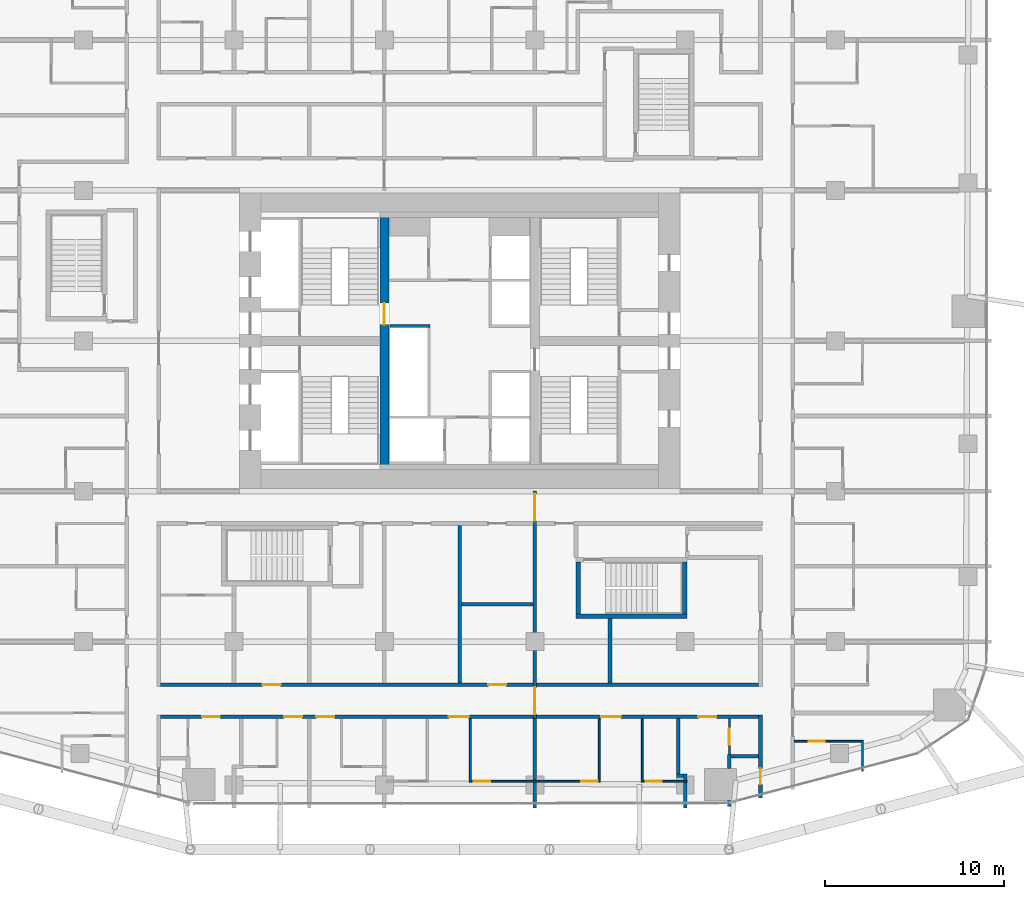
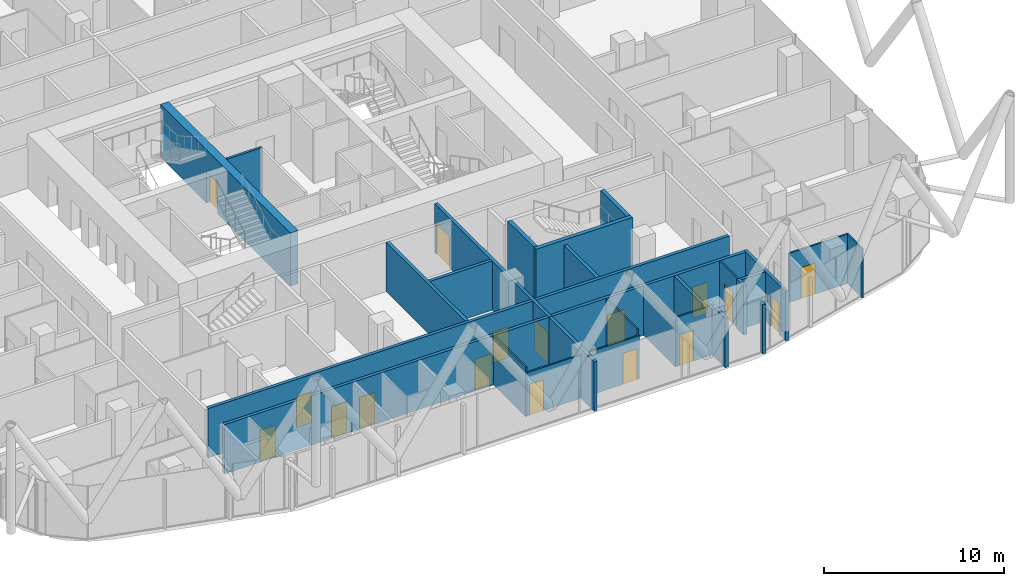
# One storey, part 30 of 38: 27 walls, 17 doors, 17 openings.
"""IFC4 building model written with IfcOpenShell, lengths in metres."""

from ifc_helpers import new_model, si_unit, direction, frame, frame_2d, origin, place, context, subcontext, project, spatial, rectangle, extrude, material, layer, layer_set, type_object, element, fill, save


model = new_model("IFC4")

# Units and contexts
model_context = context("Model", 3, precision=1e-05, world=origin(), true_north=direction((0.0, 1.0)))
body_context = subcontext(model_context, "Body", "Model", "MODEL_VIEW")
ifc_project = project(units=[si_unit("LENGTHUNIT", "METRE"), si_unit("AREAUNIT", "SQUARE_METRE"), si_unit("VOLUMEUNIT", "CUBIC_METRE"), si_unit("PLANEANGLEUNIT", "RADIAN"), si_unit("MASSUNIT", "GRAM", prefix="KILO")], contexts=[model_context])

# Site, building, storey
site_placement = place(None, origin())
site = spatial("IfcSite", under=ifc_project, at=site_placement, CompositionType="ELEMENT")
building_placement = place(site_placement, origin())
building = spatial("IfcBuilding", under=site, at=building_placement, Name="Marenta Gate Hotel Tower", CompositionType="ELEMENT")
storey_placement = place(building_placement, frame((0.0, 0.0, 54.5)))
storey = spatial("IfcBuildingStorey", under=building, at=storey_placement, Name="L11", CompositionType="ELEMENT", Elevation=54.5)

# Wall
ifc_material_1 = material(Name="Concrete blockwork", Category="masonry")
ifc_layer_1 = layer(ifc_material_1, 0.199951171875)
ifc_layer_set_1 = layer_set([ifc_layer_1], Name="Concrete blockwork")
wall_type_1 = type_object("IfcWallType", Name="Compartment wall 200 REI 180", PredefinedType="PARTITIONING", material=ifc_layer_set_1)
wall_1_placement = place(storey_placement, frame((4.199951171875, -17.699951171875, 0.0), z_axis=(0.0, 0.0, 1.0), x_axis=(0.0, 1.0, 0.0)))
element("IfcWall", 1, at=wall_1_placement, inside=storey, type_object=wall_type_1, Name="L11-PTN-W052", PredefinedType="PARTITIONING", context=body_context, shape_type="SweptSolid", body=[
    extrude(rectangle(XDim=5.0, YDim=0.199951171875, at=frame_2d((2.5, 0.0))), origin(), (0.0, 0.0, 1.0), 3.340087890625),
])

# Wall, openings, doors
wall_2_placement = place(storey_placement, frame((4.199951171875, -12.699951171875, 0.0), z_axis=(0.0, 0.0, 1.0), x_axis=(0.0, 1.0, 0.0)))
wall_2 = element("IfcWall", 2, at=wall_2_placement, inside=storey, type_object=wall_type_1, Name="L11-PTN-W053", PredefinedType="PARTITIONING", context=body_context, shape_type="SweptSolid", body=[
    extrude(rectangle(XDim=12.699951171875, YDim=0.199951171875, at=frame_2d((6.35009765625, 0.0))), origin(), (0.0, 0.0, 1.0), 3.340087890625),
])
opening_1_placement = place(wall_2_placement, frame((11.050048828125, 0.0, 0.0)))
opening_1 = element("IfcOpeningElement", 3, at=opening_1_placement, cuts=wall_2, Name="Opening G04-FD3", PredefinedType="OPENING", context=body_context, shape_type="SweptSolid", body=[
    extrude(rectangle(XDim=1.5, YDim=2.10009765625, at=frame_2d((0.75, 1.050048828125))), frame((0.0, 0.10009765625, 0.0), z_axis=(0.0, -1.0, 0.0), x_axis=(1.0, 0.0, 0.0)), (0.0, 0.0, 1.0), 0.199951171875),
])
opening_2_placement = place(wall_2_placement, frame((0.25, 0.0, 0.0)))
opening_2 = element("IfcOpeningElement", 4, at=opening_2_placement, cuts=wall_2, Name="Opening G04-FD4", PredefinedType="OPENING", context=body_context, shape_type="SweptSolid", body=[
    extrude(rectangle(XDim=1.5, YDim=2.10009765625, at=frame_2d((0.75, 1.050048828125))), frame((0.0, 0.10009765625, 0.0), z_axis=(0.0, -1.0, 0.0), x_axis=(1.0, 0.0, 0.0)), (0.0, 0.0, 1.0), 0.199951171875),
])
ifc_material_2 = material(Name="Hollow steel door set", Category="steel")
door_type_1 = type_object("IfcDoorType", Name="Compartment fire door 1500x2100 EI 60", OperationType="DOUBLE_DOOR_DOUBLE_SWING", PredefinedType="DOOR", material=ifc_material_2)
door_1_placement = place(opening_1_placement, origin())
door_1 = element("IfcDoor", 5, at=door_1_placement, inside=storey, type_object=door_type_1, Name="L11-PD-FD03", OperationType="DOUBLE_DOOR_DOUBLE_SWING", OverallHeight=2.10009765625, OverallWidth=1.5, PredefinedType="DOOR", context=body_context, shape_type="SweptSolid", body=[
    extrude(rectangle(XDim=1.5, YDim=2.10009765625, at=frame_2d((0.75, 1.050048828125))), frame((0.0, 0.02490234375, 0.0), z_axis=(0.0, -1.0, 0.0), x_axis=(1.0, 0.0, 0.0)), (0.0, 0.0, 1.0), 0.050048828125),
])
fill(opening_1, door_1)
door_2_placement = place(opening_2_placement, origin())
door_2 = element("IfcDoor", 6, at=door_2_placement, inside=storey, type_object=door_type_1, Name="L11-PD-FD04", OperationType="DOUBLE_DOOR_DOUBLE_SWING", OverallHeight=2.10009765625, OverallWidth=1.5, PredefinedType="DOOR", context=body_context, shape_type="SweptSolid", body=[
    extrude(rectangle(XDim=1.5, YDim=2.10009765625, at=frame_2d((0.75, 1.050048828125))), frame((0.0, 0.02490234375, 0.0), z_axis=(0.0, -1.0, 0.0), x_axis=(1.0, 0.0, 0.0)), (0.0, 0.0, 1.0), 0.050048828125),
])
fill(opening_2, door_2)

# Wall
ifc_material_3 = material(Name="Concrete C40", Category="concrete")
ifc_layer_2 = layer(ifc_material_3, 0.14990234375)
ifc_layer_set_2 = layer_set([ifc_layer_2], Name="Concrete C40")
wall_type_2 = type_object("IfcWallType", Name="Core shaft wall 150 REI 180", PredefinedType="SHEAR", material=ifc_layer_set_2)
wall_3_placement = place(storey_placement, frame((-3.89990234375, 9.22509765625, 0.0), z_axis=(0.0, 0.0, 1.0), x_axis=(1.0, 0.0, 0.0)))
element("IfcWall", 7, at=wall_3_placement, inside=storey, type_object=wall_type_2, Name="L11-SHF-CW-W-sep", PredefinedType="SHEAR", context=body_context, shape_type="SweptSolid", body=[
    extrude(rectangle(XDim=2.25, YDim=0.14990234375, at=frame_2d((1.125, 0.0))), origin(), (0.0, 0.0, 1.0), 3.60009765625),
])

# Wall, opening, door
ifc_material_4 = material(Name="Concrete C80", Category="concrete")
ifc_layer_3 = layer(ifc_material_4, 0.5)
ifc_layer_set_3 = layer_set([ifc_layer_3], Name="Concrete C80")
wall_type_3 = type_object("IfcWallType", Name="Core web 500 C80", PredefinedType="SHEAR", material=ifc_layer_set_3)
wall_4_placement = place(storey_placement, frame((-4.199951171875, 1.199951171875, 0.0), z_axis=(0.0, 0.0, 1.0), x_axis=(0.0, 1.0, 0.0)))
wall_4 = element("IfcWall", 8, at=wall_4_placement, inside=storey, type_object=wall_type_3, Name="L11-CORE-W1", PredefinedType="SHEAR", context=body_context, shape_type="SweptSolid", body=[
    extrude(rectangle(XDim=14.400146484375, YDim=0.5, at=frame_2d((7.2001953125, 0.0))), origin(), (0.0, 0.0, 1.0), 3.60009765625),
])
opening_3_placement = place(wall_4_placement, frame((8.10009765625, 0.0, 0.0)))
opening_3 = element("IfcOpeningElement", 9, at=opening_3_placement, cuts=wall_4, Name="Opening WD-W", PredefinedType="OPENING", context=body_context, shape_type="SweptSolid", body=[
    extrude(rectangle(XDim=1.199951171875, YDim=2.10009765625, at=frame_2d((0.60009765625, 1.050048828125))), frame((0.0, 0.25, 0.0), z_axis=(0.0, -1.0, 0.0), x_axis=(1.0, 0.0, 0.0)), (0.0, 0.0, 1.0), 0.5),
])
ifc_material_5 = material(Name="Steel", Category="steel")
door_type_2 = type_object("IfcDoorType", Name="Core stair door 1200x2100 FD60", OperationType="SINGLE_SWING_LEFT", PredefinedType="DOOR", material=ifc_material_5)
door_3_placement = place(opening_3_placement, origin())
door_3 = element("IfcDoor", 10, at=door_3_placement, inside=storey, type_object=door_type_2, Name="WD-W", OperationType="SINGLE_SWING_LEFT", OverallHeight=2.10009765625, OverallWidth=1.199951171875, PredefinedType="DOOR", context=body_context, shape_type="SweptSolid", body=[
    extrude(rectangle(XDim=1.199951171875, YDim=2.10009765625, at=frame_2d((0.60009765625, 1.050048828125))), frame((0.0, 0.02490234375, 0.0), z_axis=(0.0, -1.0, 0.0), x_axis=(1.0, 0.0, 0.0)), (0.0, 0.0, 1.0), 0.050048828125),
])
fill(opening_3, door_3)

# Walls
ifc_material_6 = material(Name="Concrete C40", Category="concrete")
ifc_layer_4 = layer(ifc_material_6, 0.25)
ifc_layer_set_4 = layer_set([ifc_layer_4], Name="Concrete C40")
wall_type_4 = type_object("IfcWallType", Name="Remote stair enclosure wall 250 REI 180", PredefinedType="SHEAR", material=ifc_layer_set_4)
wall_5_placement = place(storey_placement, frame((6.5, -6.97509765625, 0.10009765625), z_axis=(0.0, 0.0, 1.0), x_axis=(1.0, 0.0, 0.0)))
element("IfcWall", 11, at=wall_5_placement, inside=storey, type_object=wall_type_4, Name="L11-RS-Z1-1-W1", PredefinedType="SHEAR", context=body_context, shape_type="SweptSolid", body=[
    extrude(rectangle(XDim=6.199951171875, YDim=0.25, at=frame_2d((3.10009765625, 0.0))), origin(), (0.0, 0.0, 1.0), 3.599853515625),
])
for number, where, z_axis, x_axis, name in (
    (12, (6.625, -6.85009765625, 0.10009765625), (0.0, 0.0, 1.0), (0.0, 1.0, 0.0), "L11-RS-Z1-1-W3"),
    (13, (12.574951171875, -6.85009765625, 0.10009765625), (0.0, 0.0, 1.0), (0.0, 1.0, 0.0), "L11-RS-Z1-1-W4"),
):
    element("IfcWall", number, at=place(storey_placement, frame(where, z_axis=z_axis, x_axis=x_axis)), inside=storey, type_object=wall_type_4, Name=name, PredefinedType="SHEAR", context=body_context, shape_type="SweptSolid", body=[
        extrude(rectangle(XDim=2.900146484375, YDim=0.25, at=frame_2d((1.4501953125, 0.0))), origin(), (0.0, 0.0, 1.0), 3.599853515625),
    ])

# Wall, opening, door
ifc_material_7 = material(Name="Concrete blockwork", Category="masonry")
ifc_layer_5 = layer(ifc_material_7, 0.199951171875)
ifc_layer_set_5 = layer_set([ifc_layer_5], Name="Concrete blockwork")
wall_type_5 = type_object("IfcWallType", Name="Room corridor wall 200 EI 120", PredefinedType="PARTITIONING", material=ifc_layer_set_5)
wall_6_placement = place(storey_placement, frame((16.800048828125, -17.14306640625, 0.0), z_axis=(0.0, 0.0, 1.0), x_axis=(0.0, 1.0, 0.0)))
wall_6 = element("IfcWall", 14, at=wall_6_placement, inside=storey, type_object=wall_type_5, Name="L11-PTN-W010", PredefinedType="PARTITIONING", context=body_context, shape_type="SweptSolid", body=[
    extrude(rectangle(XDim=4.64306640625, YDim=0.199951171875, at=frame_2d((2.321533203125, 0.0))), origin(), (0.0, 0.0, 1.0), 3.340087890625),
])
opening_4_placement = place(wall_6_placement, frame((0.77099609375, 0.0, 0.0)))
opening_4 = element("IfcOpeningElement", 15, at=opening_4_placement, cuts=wall_6, Name="Opening G04-85", PredefinedType="OPENING", context=body_context, shape_type="SweptSolid", body=[
    extrude(rectangle(XDim=0.89990234375, YDim=2.10009765625, at=frame_2d((0.449951171875, 1.050048828125))), frame((0.0, 0.10009765625, 0.0), z_axis=(0.0, -1.0, 0.0), x_axis=(1.0, 0.0, 0.0)), (0.0, 0.0, 1.0), 0.199951171875),
])
ifc_material_8 = material(Name="Hollow steel door set", Category="steel")
door_type_3 = type_object("IfcDoorType", Name="Room service door 900x2100 EI 60", OperationType="NOTDEFINED", PredefinedType="DOOR", material=ifc_material_8)
door_4_placement = place(opening_4_placement, origin())
door_4 = element("IfcDoor", 16, at=door_4_placement, inside=storey, type_object=door_type_3, Name="L11-PD-D085", OperationType="SINGLE_SWING_RIGHT", OverallHeight=2.10009765625, OverallWidth=0.89990234375, PredefinedType="DOOR", context=body_context, shape_type="SweptSolid", body=[
    extrude(rectangle(XDim=0.89990234375, YDim=2.10009765625, at=frame_2d((0.449951171875, 1.050048828125))), frame((0.0, 0.02490234375, 0.0), z_axis=(0.0, -1.0, 0.0), x_axis=(1.0, 0.0, 0.0)), (0.0, 0.0, 1.0), 0.050048828125),
])
fill(opening_4, door_4)

# Wall, openings, doors
ifc_material_9 = material(Name="Gypsum board on steel stud", Category="steel")
ifc_layer_6 = layer(ifc_material_9, 0.199951171875)
ifc_layer_set_6 = layer_set([ifc_layer_6], Name="Gypsum board on steel stud")
wall_type_6 = type_object("IfcWallType", Name="Room corridor wall 200 EI 60", PredefinedType="PARTITIONING", material=ifc_layer_set_6)
wall_7_placement = place(storey_placement, frame((-16.699951171875, -12.60009765625, 0.0), z_axis=(0.0, 0.0, 1.0), x_axis=(1.0, 0.0, 0.0)))
wall_7 = element("IfcWall", 17, at=wall_7_placement, inside=storey, type_object=wall_type_6, Name="L11-PTN-W030", PredefinedType="PARTITIONING", context=body_context, shape_type="SweptSolid", body=[
    extrude(rectangle(XDim=33.39990234375, YDim=0.199951171875, at=frame_2d((16.699951171875, 0.0))), origin(), (0.0, 0.0, 1.0), 3.340087890625),
])
opening_5_placement = place(wall_7_placement, frame((6.89990234375, 0.0, 0.0)))
opening_5 = element("IfcOpeningElement", 18, at=opening_5_placement, cuts=wall_7, Name="Opening G04-40", PredefinedType="OPENING", context=body_context, shape_type="SweptSolid", body=[
    extrude(rectangle(XDim=1.0, YDim=2.10009765625, at=frame_2d((0.5, 1.050048828125))), frame((0.0, 0.10009765625, 0.0), z_axis=(0.0, -1.0, 0.0), x_axis=(1.0, 0.0, 0.0)), (0.0, 0.0, 1.0), 0.199951171875),
])
opening_6_placement = place(wall_7_placement, frame((8.699951171875, 0.0, 0.0)))
opening_6 = element("IfcOpeningElement", 19, at=opening_6_placement, cuts=wall_7, Name="Opening G04-42", PredefinedType="OPENING", context=body_context, shape_type="SweptSolid", body=[
    extrude(rectangle(XDim=1.0, YDim=2.10009765625, at=frame_2d((0.5, 1.050048828125))), frame((0.0, 0.10009765625, 0.0), z_axis=(0.0, -1.0, 0.0), x_axis=(1.0, 0.0, 0.0)), (0.0, 0.0, 1.0), 0.199951171875),
])
opening_7_placement = place(wall_7_placement, frame((16.10009765625, 0.0, 0.0)))
opening_7 = element("IfcOpeningElement", 20, at=opening_7_placement, cuts=wall_7, Name="Opening G04-44", PredefinedType="OPENING", context=body_context, shape_type="SweptSolid", body=[
    extrude(rectangle(XDim=1.10009765625, YDim=2.10009765625, at=frame_2d((0.550048828125, 1.050048828125))), frame((0.0, 0.10009765625, 0.0), z_axis=(0.0, -1.0, 0.0), x_axis=(1.0, 0.0, 0.0)), (0.0, 0.0, 1.0), 0.199951171875),
])
opening_8_placement = place(wall_7_placement, frame((24.60009765625, 0.0, 0.0)))
opening_8 = element("IfcOpeningElement", 21, at=opening_8_placement, cuts=wall_7, Name="Opening G04-47", PredefinedType="OPENING", context=body_context, shape_type="SweptSolid", body=[
    extrude(rectangle(XDim=1.10009765625, YDim=2.10009765625, at=frame_2d((0.550048828125, 1.050048828125))), frame((0.0, 0.10009765625, 0.0), z_axis=(0.0, -1.0, 0.0), x_axis=(1.0, 0.0, 0.0)), (0.0, 0.0, 1.0), 0.199951171875),
])
opening_9_placement = place(wall_7_placement, frame((2.31689453125, 0.0, 0.0)))
opening_9 = element("IfcOpeningElement", 22, at=opening_9_placement, cuts=wall_7, Name="Opening G04-80", PredefinedType="OPENING", context=body_context, shape_type="SweptSolid", body=[
    extrude(rectangle(XDim=1.0, YDim=2.10009765625, at=frame_2d((0.5, 1.050048828125))), frame((0.0, 0.10009765625, 0.0), z_axis=(0.0, -1.0, 0.0), x_axis=(1.0, 0.0, 0.0)), (0.0, 0.0, 1.0), 0.199951171875),
])
opening_10_placement = place(wall_7_placement, frame((30.032958984375, 0.0, 0.0)))
opening_10 = element("IfcOpeningElement", 23, at=opening_10_placement, cuts=wall_7, Name="Opening G04-83", PredefinedType="OPENING", context=body_context, shape_type="SweptSolid", body=[
    extrude(rectangle(XDim=1.0, YDim=2.10009765625, at=frame_2d((0.5, 1.050048828125))), frame((0.0, 0.10009765625, 0.0), z_axis=(0.0, -1.0, 0.0), x_axis=(1.0, 0.0, 0.0)), (0.0, 0.0, 1.0), 0.199951171875),
])
ifc_material_10 = material(Name="Timber door leaf", Category="wood")
door_type_4 = type_object("IfcDoorType", Name="Guest room door 1000x2100 EI 30", OperationType="NOTDEFINED", PredefinedType="DOOR", material=ifc_material_10)
door_5_placement = place(opening_5_placement, origin())
door_5 = element("IfcDoor", 24, at=door_5_placement, inside=storey, type_object=door_type_4, Name="L11-PD-D040", OperationType="SINGLE_SWING_RIGHT", OverallHeight=2.10009765625, OverallWidth=1.0, PredefinedType="DOOR", context=body_context, shape_type="SweptSolid", body=[
    extrude(rectangle(XDim=1.0, YDim=2.10009765625, at=frame_2d((0.5, 1.050048828125))), frame((0.0, 0.02490234375, 0.0), z_axis=(0.0, -1.0, 0.0), x_axis=(1.0, 0.0, 0.0)), (0.0, 0.0, 1.0), 0.050048828125),
])
fill(opening_5, door_5)
door_6_placement = place(opening_6_placement, origin())
door_6 = element("IfcDoor", 25, at=door_6_placement, inside=storey, type_object=door_type_4, Name="L11-PD-D042", OperationType="SINGLE_SWING_RIGHT", OverallHeight=2.10009765625, OverallWidth=1.0, PredefinedType="DOOR", context=body_context, shape_type="SweptSolid", body=[
    extrude(rectangle(XDim=1.0, YDim=2.10009765625, at=frame_2d((0.5, 1.050048828125))), frame((0.0, 0.02490234375, 0.0), z_axis=(0.0, -1.0, 0.0), x_axis=(1.0, 0.0, 0.0)), (0.0, 0.0, 1.0), 0.050048828125),
])
fill(opening_6, door_6)
door_7_placement = place(opening_9_placement, origin())
door_7 = element("IfcDoor", 26, at=door_7_placement, inside=storey, type_object=door_type_4, Name="L11-PD-D080", OperationType="SINGLE_SWING_RIGHT", OverallHeight=2.10009765625, OverallWidth=1.0, PredefinedType="DOOR", context=body_context, shape_type="SweptSolid", body=[
    extrude(rectangle(XDim=1.0, YDim=2.10009765625, at=frame_2d((0.5, 1.050048828125))), frame((0.0, 0.02490234375, 0.0), z_axis=(0.0, -1.0, 0.0), x_axis=(1.0, 0.0, 0.0)), (0.0, 0.0, 1.0), 0.050048828125),
])
fill(opening_9, door_7)
door_8_placement = place(opening_10_placement, origin())
door_8 = element("IfcDoor", 27, at=door_8_placement, inside=storey, type_object=door_type_4, Name="L11-PD-D083", OperationType="SINGLE_SWING_LEFT", OverallHeight=2.10009765625, OverallWidth=1.0, PredefinedType="DOOR", context=body_context, shape_type="SweptSolid", body=[
    extrude(rectangle(XDim=1.0, YDim=2.10009765625, at=frame_2d((0.5, 1.050048828125))), frame((0.0, 0.02490234375, 0.0), z_axis=(0.0, -1.0, 0.0), x_axis=(1.0, 0.0, 0.0)), (0.0, 0.0, 1.0), 0.050048828125),
])
fill(opening_10, door_8)
ifc_material_11 = material(Name="Timber door leaf", Category="wood")
door_type_5 = type_object("IfcDoorType", Name="Guest room door 1100x2100 EI 30", OperationType="NOTDEFINED", PredefinedType="DOOR", material=ifc_material_11)
door_9_placement = place(opening_7_placement, origin())
door_9 = element("IfcDoor", 28, at=door_9_placement, inside=storey, type_object=door_type_5, Name="L11-PD-D044", OperationType="SINGLE_SWING_LEFT", OverallHeight=2.10009765625, OverallWidth=1.10009765625, PredefinedType="DOOR", context=body_context, shape_type="SweptSolid", body=[
    extrude(rectangle(XDim=1.10009765625, YDim=2.10009765625, at=frame_2d((0.550048828125, 1.050048828125))), frame((0.0, 0.02490234375, 0.0), z_axis=(0.0, -1.0, 0.0), x_axis=(1.0, 0.0, 0.0)), (0.0, 0.0, 1.0), 0.050048828125),
])
fill(opening_7, door_9)
door_10_placement = place(opening_8_placement, origin())
door_10 = element("IfcDoor", 29, at=door_10_placement, inside=storey, type_object=door_type_5, Name="L11-PD-D047", OperationType="SINGLE_SWING_RIGHT", OverallHeight=2.10009765625, OverallWidth=1.10009765625, PredefinedType="DOOR", context=body_context, shape_type="SweptSolid", body=[
    extrude(rectangle(XDim=1.10009765625, YDim=2.10009765625, at=frame_2d((0.550048828125, 1.050048828125))), frame((0.0, 0.02490234375, 0.0), z_axis=(0.0, -1.0, 0.0), x_axis=(1.0, 0.0, 0.0)), (0.0, 0.0, 1.0), 0.050048828125),
])
fill(opening_8, door_10)

wall_8_placement = place(storey_placement, frame((-16.699951171875, -10.800048828125, 0.0), z_axis=(0.0, 0.0, 1.0), x_axis=(1.0, 0.0, 0.0)))
wall_8 = element("IfcWall", 30, at=wall_8_placement, inside=storey, type_object=wall_type_6, Name="L11-PTN-W034", PredefinedType="PARTITIONING", context=body_context, shape_type="SweptSolid", body=[
    extrude(rectangle(XDim=33.39990234375, YDim=0.199951171875, at=frame_2d((16.699951171875, 0.0))), origin(), (0.0, 0.0, 1.0), 3.340087890625),
])
opening_11_placement = place(wall_8_placement, frame((5.699951171875, 0.0, 0.0)))
opening_11 = element("IfcOpeningElement", 31, at=opening_11_placement, cuts=wall_8, Name="Opening G04-75", PredefinedType="OPENING", context=body_context, shape_type="SweptSolid", body=[
    extrude(rectangle(XDim=1.0, YDim=2.10009765625, at=frame_2d((0.5, 1.050048828125))), frame((0.0, 0.10009765625, 0.0), z_axis=(0.0, -1.0, 0.0), x_axis=(1.0, 0.0, 0.0)), (0.0, 0.0, 1.0), 0.199951171875),
])
opening_12_placement = place(wall_8_placement, frame((18.300048828125, 0.0, 0.0)))
opening_12 = element("IfcOpeningElement", 32, at=opening_12_placement, cuts=wall_8, Name="Opening G04-76", PredefinedType="OPENING", context=body_context, shape_type="SweptSolid", body=[
    extrude(rectangle(XDim=1.0, YDim=2.10009765625, at=frame_2d((0.5, 1.050048828125))), frame((0.0, 0.10009765625, 0.0), z_axis=(0.0, -1.0, 0.0), x_axis=(1.0, 0.0, 0.0)), (0.0, 0.0, 1.0), 0.199951171875),
])
ifc_material_12 = material(Name="Timber door leaf", Category="wood")
door_type_6 = type_object("IfcDoorType", Name="Room amenity door 1000x2100 EI 30", OperationType="NOTDEFINED", PredefinedType="DOOR", material=ifc_material_12)
door_11_placement = place(opening_11_placement, origin())
door_11 = element("IfcDoor", 33, at=door_11_placement, inside=storey, type_object=door_type_6, Name="L11-PD-D075", OperationType="SINGLE_SWING_LEFT", OverallHeight=2.10009765625, OverallWidth=1.0, PredefinedType="DOOR", context=body_context, shape_type="SweptSolid", body=[
    extrude(rectangle(XDim=1.0, YDim=2.10009765625, at=frame_2d((0.5, 1.050048828125))), frame((0.0, 0.02490234375, 0.0), z_axis=(0.0, -1.0, 0.0), x_axis=(1.0, 0.0, 0.0)), (0.0, 0.0, 1.0), 0.050048828125),
])
fill(opening_11, door_11)
door_12_placement = place(opening_12_placement, origin())
door_12 = element("IfcDoor", 34, at=door_12_placement, inside=storey, type_object=door_type_6, Name="L11-PD-D076", OperationType="SINGLE_SWING_RIGHT", OverallHeight=2.10009765625, OverallWidth=1.0, PredefinedType="DOOR", context=body_context, shape_type="SweptSolid", body=[
    extrude(rectangle(XDim=1.0, YDim=2.10009765625, at=frame_2d((0.5, 1.050048828125))), frame((0.0, 0.02490234375, 0.0), z_axis=(0.0, -1.0, 0.0), x_axis=(1.0, 0.0, 0.0)), (0.0, 0.0, 1.0), 0.050048828125),
])
fill(opening_12, door_12)

# Wall
ifc_material_13 = material(Name="Gypsum board on steel stud", Category="steel")
ifc_layer_7 = layer(ifc_material_13, 0.10009765625)
ifc_layer_set_7 = layer_set([ifc_layer_7], Name="Gypsum board on steel stud")
wall_type_7 = type_object("IfcWallType", Name="Room partition 100", PredefinedType="PARTITIONING", material=ifc_layer_set_7)
wall_9_placement = place(storey_placement, frame((22.5, -15.631103515625, 0.0), z_axis=(0.0, 0.0, 1.0), x_axis=(0.0, 1.0, 0.0)))
element("IfcWall", 35, at=wall_9_placement, inside=storey, type_object=wall_type_7, Name="L11-PTN-W003", PredefinedType="PARTITIONING", context=body_context, shape_type="SweptSolid", body=[
    extrude(rectangle(XDim=1.716064453125, YDim=0.10009765625, at=frame_2d((0.85791015625, 0.0))), origin(), (0.0, 0.0, 1.0), 3.340087890625),
])

# Wall, openings, doors
wall_10_placement = place(storey_placement, frame((0.64990234375, -16.199951171875, 0.0), z_axis=(0.0, 0.0, 1.0), x_axis=(1.0, 0.0, 0.0)))
wall_10 = element("IfcWall", 36, at=wall_10_placement, inside=storey, type_object=wall_type_7, Name="L11-PTN-W015", PredefinedType="PARTITIONING", context=body_context, shape_type="SweptSolid", body=[
    extrude(rectangle(XDim=7.2001953125, YDim=0.10009765625, at=frame_2d((3.60009765625, 0.0))), origin(), (0.0, 0.0, 1.0), 2.93994140625),
])
opening_13_placement = place(wall_10_placement, frame((0.14990234375, 0.0, 0.0)))
opening_13 = element("IfcOpeningElement", 37, at=opening_13_placement, cuts=wall_10, Name="Opening G04-45", PredefinedType="OPENING", context=body_context, shape_type="SweptSolid", body=[
    extrude(rectangle(XDim=0.89990234375, YDim=2.10009765625, at=frame_2d((0.449951171875, 1.050048828125))), frame((0.0, 0.050048828125, 0.0), z_axis=(0.0, -1.0, 0.0), x_axis=(1.0, 0.0, 0.0)), (0.0, 0.0, 1.0), 0.10009765625),
])
opening_14_placement = place(wall_10_placement, frame((6.14990234375, 0.0, 0.0)))
opening_14 = element("IfcOpeningElement", 38, at=opening_14_placement, cuts=wall_10, Name="Opening G04-48", PredefinedType="OPENING", context=body_context, shape_type="SweptSolid", body=[
    extrude(rectangle(XDim=0.89990234375, YDim=2.10009765625, at=frame_2d((0.449951171875, 1.050048828125))), frame((0.0, 0.050048828125, 0.0), z_axis=(0.0, -1.0, 0.0), x_axis=(1.0, 0.0, 0.0)), (0.0, 0.0, 1.0), 0.10009765625),
])
ifc_material_14 = material(Name="Timber door leaf", Category="wood")
door_type_7 = type_object("IfcDoorType", Name="Guest bathroom door 900x2100", OperationType="NOTDEFINED", PredefinedType="DOOR", material=ifc_material_14)
door_13_placement = place(opening_13_placement, origin())
door_13 = element("IfcDoor", 39, at=door_13_placement, inside=storey, type_object=door_type_7, Name="L11-PD-D045", OperationType="SINGLE_SWING_LEFT", OverallHeight=2.10009765625, OverallWidth=0.89990234375, PredefinedType="DOOR", context=body_context, shape_type="SweptSolid", body=[
    extrude(rectangle(XDim=0.89990234375, YDim=2.10009765625, at=frame_2d((0.449951171875, 1.050048828125))), frame((0.0, 0.02490234375, 0.0), z_axis=(0.0, -1.0, 0.0), x_axis=(1.0, 0.0, 0.0)), (0.0, 0.0, 1.0), 0.050048828125),
])
fill(opening_13, door_13)
door_14_placement = place(opening_14_placement, origin())
door_14 = element("IfcDoor", 40, at=door_14_placement, inside=storey, type_object=door_type_7, Name="L11-PD-D048", OperationType="SINGLE_SWING_RIGHT", OverallHeight=2.10009765625, OverallWidth=0.89990234375, PredefinedType="DOOR", context=body_context, shape_type="SweptSolid", body=[
    extrude(rectangle(XDim=0.89990234375, YDim=2.10009765625, at=frame_2d((0.449951171875, 1.050048828125))), frame((0.0, 0.02490234375, 0.0), z_axis=(0.0, -1.0, 0.0), x_axis=(1.0, 0.0, 0.0)), (0.0, 0.0, 1.0), 0.050048828125),
])
fill(opening_14, door_14)

# Wall, opening, door
wall_11_placement = place(storey_placement, frame((10.25, -16.199951171875, 0.0), z_axis=(0.0, 0.0, 1.0), x_axis=(1.0, 0.0, 0.0)))
wall_11 = element("IfcWall", 41, at=wall_11_placement, inside=storey, type_object=wall_type_7, Name="L11-PTN-W016", PredefinedType="PARTITIONING", context=body_context, shape_type="SweptSolid", body=[
    extrude(rectangle(XDim=2.449951171875, YDim=0.10009765625, at=frame_2d((1.22509765625, 0.0))), origin(), (0.0, 0.0, 1.0), 3.340087890625),
])
opening_15_placement = place(wall_11_placement, frame((0.14990234375, 0.0, 0.0)))
opening_15 = element("IfcOpeningElement", 42, at=opening_15_placement, cuts=wall_11, Name="Opening G04-49", PredefinedType="OPENING", context=body_context, shape_type="SweptSolid", body=[
    extrude(rectangle(XDim=0.89990234375, YDim=2.10009765625, at=frame_2d((0.449951171875, 1.050048828125))), frame((0.0, 0.050048828125, 0.0), z_axis=(0.0, -1.0, 0.0), x_axis=(1.0, 0.0, 0.0)), (0.0, 0.0, 1.0), 0.10009765625),
])
ifc_material_15 = material(Name="Timber door leaf", Category="wood")
door_type_8 = type_object("IfcDoorType", Name="Room inner door 900x2100", OperationType="NOTDEFINED", PredefinedType="DOOR", material=ifc_material_15)
door_15_placement = place(opening_15_placement, origin())
door_15 = element("IfcDoor", 43, at=door_15_placement, inside=storey, type_object=door_type_8, Name="L11-PD-D049", OperationType="SINGLE_SWING_LEFT", OverallHeight=2.10009765625, OverallWidth=0.89990234375, PredefinedType="DOOR", context=body_context, shape_type="SweptSolid", body=[
    extrude(rectangle(XDim=0.89990234375, YDim=2.10009765625, at=frame_2d((0.449951171875, 1.050048828125))), frame((0.0, 0.02490234375, 0.0), z_axis=(0.0, -1.0, 0.0), x_axis=(1.0, 0.0, 0.0)), (0.0, 0.0, 1.0), 0.050048828125),
])
fill(opening_15, door_15)

wall_12_placement = place(storey_placement, frame((15.06591796875, -14.89990234375, 0.0), z_axis=(0.0, 0.0, 1.0), x_axis=(0.0, 1.0, 0.0)))
wall_12 = element("IfcWall", 44, at=wall_12_placement, inside=storey, type_object=wall_type_7, Name="L11-PTN-W022", PredefinedType="PARTITIONING", context=body_context, shape_type="SweptSolid", body=[
    extrude(rectangle(XDim=2.199951171875, YDim=0.10009765625, at=frame_2d((1.10009765625, 0.0))), origin(), (0.0, 0.0, 1.0), 3.340087890625),
])
opening_16_placement = place(wall_12_placement, frame((0.75, 0.0, 0.0)))
opening_16 = element("IfcOpeningElement", 45, at=opening_16_placement, cuts=wall_12, Name="Opening G04-84", PredefinedType="OPENING", context=body_context, shape_type="SweptSolid", body=[
    extrude(rectangle(XDim=0.89990234375, YDim=2.10009765625, at=frame_2d((0.449951171875, 1.050048828125))), frame((0.0, 0.050048828125, 0.0), z_axis=(0.0, -1.0, 0.0), x_axis=(1.0, 0.0, 0.0)), (0.0, 0.0, 1.0), 0.10009765625),
])
door_16_placement = place(opening_16_placement, origin())
door_16 = element("IfcDoor", 46, at=door_16_placement, inside=storey, type_object=door_type_7, Name="L11-PD-D084", OperationType="SINGLE_SWING_RIGHT", OverallHeight=2.10009765625, OverallWidth=0.89990234375, PredefinedType="DOOR", context=body_context, shape_type="SweptSolid", body=[
    extrude(rectangle(XDim=0.89990234375, YDim=2.10009765625, at=frame_2d((0.449951171875, 1.050048828125))), frame((0.0, 0.02490234375, 0.0), z_axis=(0.0, -1.0, 0.0), x_axis=(1.0, 0.0, 0.0)), (0.0, 0.0, 1.0), 0.050048828125),
])
fill(opening_16, door_16)

wall_13_placement = place(storey_placement, frame((18.699951171875, -13.965087890625, 0.0), z_axis=(0.0, 0.0, 1.0), x_axis=(1.0, 0.0, 0.0)))
wall_13 = element("IfcWall", 47, at=wall_13_placement, inside=storey, type_object=wall_type_7, Name="L11-PTN-W026", PredefinedType="PARTITIONING", context=body_context, shape_type="SweptSolid", body=[
    extrude(rectangle(XDim=3.75, YDim=0.10009765625, at=frame_2d((1.875, 0.0))), origin(), (0.0, 0.0, 1.0), 3.340087890625),
])
opening_17_placement = place(wall_13_placement, frame((0.794921875, 0.0, 0.0)))
opening_17 = element("IfcOpeningElement", 48, at=opening_17_placement, cuts=wall_13, Name="Opening G04-11", PredefinedType="OPENING", context=body_context, shape_type="SweptSolid", body=[
    extrude(rectangle(XDim=0.89990234375, YDim=2.10009765625, at=frame_2d((0.449951171875, 1.050048828125))), frame((0.0, 0.050048828125, 0.0), z_axis=(0.0, -1.0, 0.0), x_axis=(1.0, 0.0, 0.0)), (0.0, 0.0, 1.0), 0.10009765625),
])
door_17_placement = place(opening_17_placement, origin())
door_17 = element("IfcDoor", 49, at=door_17_placement, inside=storey, type_object=door_type_7, Name="L11-PD-D011", OperationType="SINGLE_SWING_LEFT", OverallHeight=2.10009765625, OverallWidth=0.89990234375, PredefinedType="DOOR", context=body_context, shape_type="SweptSolid", body=[
    extrude(rectangle(XDim=0.89990234375, YDim=2.10009765625, at=frame_2d((0.449951171875, 1.050048828125))), frame((0.0, 0.02490234375, 0.0), z_axis=(0.0, -1.0, 0.0), x_axis=(1.0, 0.0, 0.0)), (0.0, 0.0, 1.0), 0.050048828125),
])
fill(opening_17, door_17)

# Walls
wall_14_placement = place(storey_placement, frame((10.199951171875, -16.25, 0.0), z_axis=(0.0, 0.0, 1.0), x_axis=(0.0, 1.0, 0.0)))
element("IfcWall", 50, at=wall_14_placement, inside=storey, type_object=wall_type_7, Name="L11-PTN-W036", PredefinedType="PARTITIONING", context=body_context, shape_type="SweptSolid", body=[
    extrude(rectangle(XDim=3.550048828125, YDim=0.10009765625, at=frame_2d((1.77490234375, 0.0))), origin(), (0.0, 0.0, 1.0), 3.340087890625),
])
wall_15_placement = place(storey_placement, frame((7.800048828125, -16.14990234375, 0.0), z_axis=(0.0, 0.0, 1.0), x_axis=(0.0, 1.0, 0.0)))
element("IfcWall", 51, at=wall_15_placement, inside=storey, type_object=wall_type_7, Name="L11-PTN-W043", PredefinedType="PARTITIONING", context=body_context, shape_type="SweptSolid", body=[
    extrude(rectangle(XDim=3.449951171875, YDim=0.10009765625, at=frame_2d((1.72509765625, 0.0))), origin(), (0.0, 0.0, 1.0), 3.340087890625),
])
wall_16_placement = place(storey_placement, frame((0.60009765625, -16.25, 0.0), z_axis=(0.0, 0.0, 1.0), x_axis=(0.0, 1.0, 0.0)))
element("IfcWall", 52, at=wall_16_placement, inside=storey, type_object=wall_type_7, Name="L11-PTN-W067", PredefinedType="PARTITIONING", context=body_context, shape_type="SweptSolid", body=[
    extrude(rectangle(XDim=3.550048828125, YDim=0.10009765625, at=frame_2d((1.77490234375, 0.0))), origin(), (0.0, 0.0, 1.0), 3.340087890625),
])
ifc_material_16 = material(Name="Concrete blockwork", Category="masonry")
ifc_layer_8 = layer(ifc_material_16, 0.199951171875)
ifc_layer_set_8 = layer_set([ifc_layer_8], Name="Concrete blockwork")
wall_type_8 = type_object("IfcWallType", Name="Room party wall 200 EI 120", PredefinedType="PARTITIONING", material=ifc_layer_set_8)
wall_17_placement = place(storey_placement, frame((15.06591796875, -17.593017578125, 0.0), z_axis=(0.0, 0.0, 1.0), x_axis=(0.0, 1.0, 0.0)))
element("IfcWall", 53, at=wall_17_placement, inside=storey, type_object=wall_type_8, Name="L11-PTN-W021", PredefinedType="PARTITIONING", context=body_context, shape_type="SweptSolid", body=[
    extrude(rectangle(XDim=0.318115234375, YDim=0.199951171875, at=frame_2d((0.1591796875, 0.0))), origin(), (0.0, 0.0, 1.0), 3.340087890625),
])
wall_18_placement = place(storey_placement, frame((15.06591796875, -15.47509765625, 0.0), z_axis=(0.0, 0.0, 1.0), x_axis=(0.0, 1.0, 0.0)))
element("IfcWall", 54, at=wall_18_placement, inside=storey, type_object=wall_type_8, Name="L11-PTN-W156", PredefinedType="PARTITIONING", context=body_context, shape_type="SweptSolid", body=[
    extrude(rectangle(XDim=0.775146484375, YDim=0.199951171875, at=frame_2d((0.3876953125, 0.0))), origin(), (0.0, 0.0, 1.0), 3.340087890625),
])
wall_19_placement = place(storey_placement, frame((15.115966796875, -14.800048828125, 0.0), z_axis=(0.0, 0.0, 1.0), x_axis=(1.0, 0.0, 0.0)))
element("IfcWall", 55, at=wall_19_placement, inside=storey, type_object=wall_type_8, Name="L11-PTN-W024", PredefinedType="PARTITIONING", context=body_context, shape_type="SweptSolid", body=[
    extrude(rectangle(XDim=1.583984375, YDim=0.199951171875, at=frame_2d((0.7919921875, 0.0))), origin(), (0.0, 0.0, 1.0), 3.340087890625),
])
ifc_material_17 = material(Name="Gypsum board on steel stud", Category="steel")
ifc_layer_9 = layer(ifc_material_17, 0.199951171875)
ifc_layer_set_9 = layer_set([ifc_layer_9], Name="Gypsum board on steel stud")
wall_type_9 = type_object("IfcWallType", Name="Room party wall 200 EI 60", PredefinedType="PARTITIONING", material=ifc_layer_set_9)
wall_20_placement = place(storey_placement, frame((12.10009765625, -15.89990234375, 0.0), z_axis=(0.0, 0.0, 1.0), x_axis=(1.0, 0.0, 0.0)))
element("IfcWall", 56, at=wall_20_placement, inside=storey, type_object=wall_type_9, Name="L11-PTN-W017", PredefinedType="PARTITIONING", context=body_context, shape_type="SweptSolid", body=[
    extrude(rectangle(XDim=0.39990234375, YDim=0.199951171875, at=frame_2d((0.199951171875, 0.0))), origin(), (0.0, 0.0, 1.0), 3.340087890625),
])
wall_21_placement = place(storey_placement, frame((12.60009765625, -17.699951171875, 0.0), z_axis=(0.0, 0.0, 1.0), x_axis=(0.0, 1.0, 0.0)))
element("IfcWall", 57, at=wall_21_placement, inside=storey, type_object=wall_type_9, Name="L11-PTN-W029", PredefinedType="PARTITIONING", context=body_context, shape_type="SweptSolid", body=[
    extrude(rectangle(XDim=1.89990234375, YDim=0.199951171875, at=frame_2d((0.949951171875, 0.0))), origin(), (0.0, 0.0, 1.0), 3.340087890625),
])
wall_22_placement = place(storey_placement, frame((12.199951171875, -15.800048828125, 0.0), z_axis=(0.0, 0.0, 1.0), x_axis=(0.0, 1.0, 0.0)))
element("IfcWall", 58, at=wall_22_placement, inside=storey, type_object=wall_type_9, Name="L11-PTN-W033", PredefinedType="PARTITIONING", context=body_context, shape_type="SweptSolid", body=[
    extrude(rectangle(XDim=3.10009765625, YDim=0.199951171875, at=frame_2d((1.550048828125, 0.0))), origin(), (0.0, 0.0, 1.0), 3.340087890625),
])
wall_23_placement = place(storey_placement, frame((8.39990234375, -10.699951171875, 0.0), z_axis=(0.0, 0.0, 1.0), x_axis=(0.0, 1.0, 0.0)))
element("IfcWall", 59, at=wall_23_placement, inside=storey, type_object=wall_type_9, Name="L11-PTN-W037", PredefinedType="PARTITIONING", context=body_context, shape_type="SweptSolid", body=[
    extrude(rectangle(XDim=3.599853515625, YDim=0.199951171875, at=frame_2d((1.7998046875, 0.0))), origin(), (0.0, 0.0, 1.0), 3.340087890625),
])
wall_24_placement = place(storey_placement, frame((0.10009765625, -6.300048828125, 0.0), z_axis=(0.0, 0.0, 1.0), x_axis=(1.0, 0.0, 0.0)))
element("IfcWall", 60, at=wall_24_placement, inside=storey, type_object=wall_type_9, Name="L11-PTN-W048", PredefinedType="PARTITIONING", context=body_context, shape_type="SweptSolid", body=[
    extrude(rectangle(XDim=4.0, YDim=0.199951171875, at=frame_2d((2.0, 0.0))), origin(), (0.0, 0.0, 1.0), 3.340087890625),
])
wall_25_placement = place(storey_placement, frame((0.0, -10.699951171875, 0.0), z_axis=(0.0, 0.0, 1.0), x_axis=(0.0, 1.0, 0.0)))
element("IfcWall", 61, at=wall_25_placement, inside=storey, type_object=wall_type_9, Name="L11-PTN-W068", PredefinedType="PARTITIONING", context=body_context, shape_type="SweptSolid", body=[
    extrude(rectangle(XDim=8.800048828125, YDim=0.199951171875, at=frame_2d((4.39990234375, 0.0))), origin(), (0.0, 0.0, 1.0), 3.340087890625),
])

save(model, "model.ifc")
